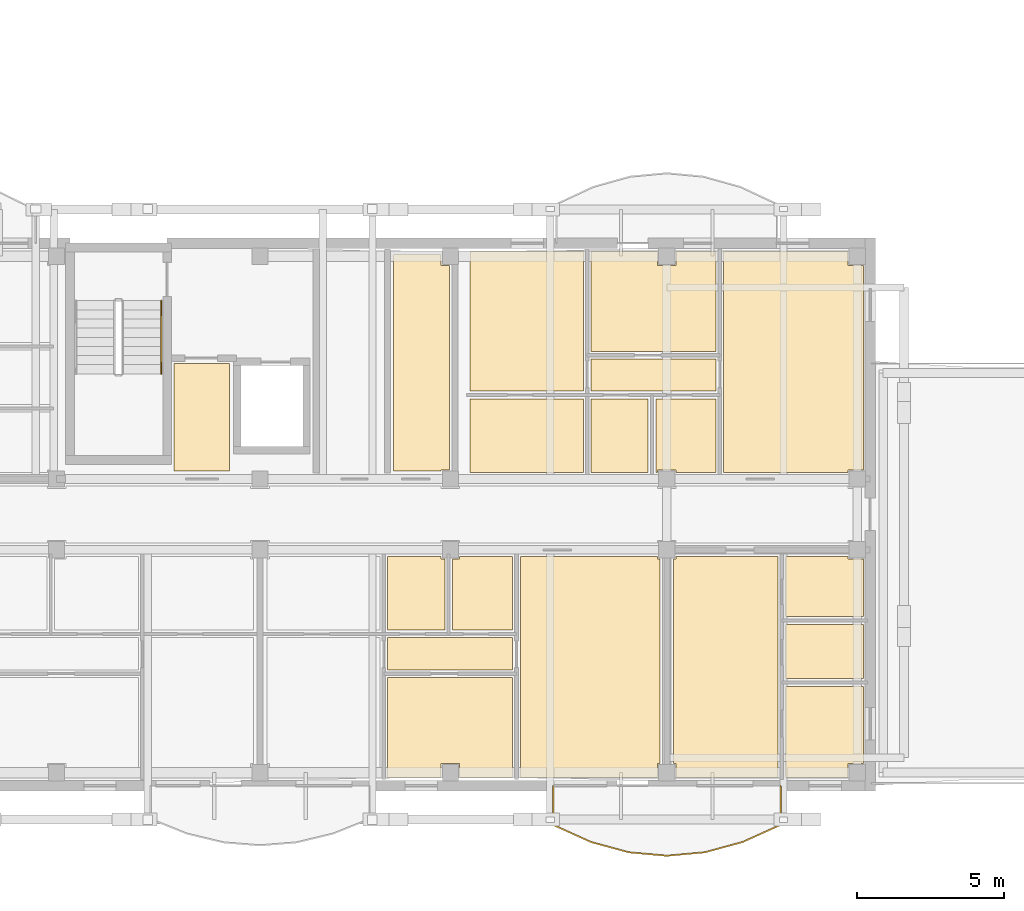
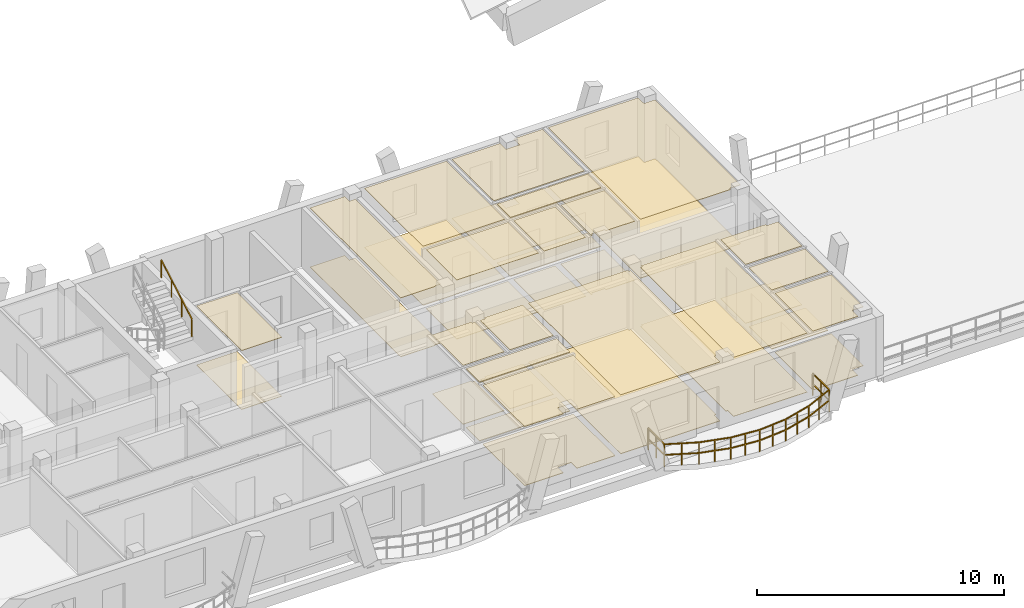
# One storey, part 90 of 109: 36 coverings, 2 railings.
"""IFC4 building model written with IfcOpenShell, lengths in metres."""

from ifc_helpers import new_model, si_unit, direction, frame, origin, origin_2d, place, context, subcontext, project, spatial, polyline, rectangle, outline, extrude, material, layer, layer_set, type_object, element, save


model = new_model("IFC4")

# Units and contexts
model_context = context("Model", 3, precision=1e-05, world=origin(), true_north=direction((0.0, 1.0)))
body_context = subcontext(model_context, "Body", "Model", "MODEL_VIEW")
ifc_project = project(units=[si_unit("LENGTHUNIT", "METRE"), si_unit("AREAUNIT", "SQUARE_METRE"), si_unit("VOLUMEUNIT", "CUBIC_METRE"), si_unit("PLANEANGLEUNIT", "RADIAN"), si_unit("MASSUNIT", "GRAM", prefix="KILO")], contexts=[model_context])

# Site, building, storey
site_placement = place(None, origin())
site = spatial("IfcSite", under=ifc_project, at=site_placement, CompositionType="ELEMENT")
building_placement = place(site_placement, origin())
building = spatial("IfcBuilding", under=site, at=building_placement, Name="Zavelmont Quarter", CompositionType="ELEMENT")
storey_placement = place(building_placement, frame((0.0, 0.0, 8.0)))
storey = spatial("IfcBuildingStorey", under=building, at=storey_placement, Name="L02", CompositionType="ELEMENT", Elevation=8.0)

# Coverings
ifc_material_1 = material(Name="Perforated acoustic gypsum board")
ifc_layer_1 = layer(ifc_material_1, 0.02490234375)
ifc_layer_set_1 = layer_set([ifc_layer_1], Name="Perforated acoustic gypsum board")
covering_type_1 = type_object("IfcCoveringType", Name="CV-CL01", PredefinedType="CEILING", material=ifc_layer_set_1)
covering_1_placement = place(storey_placement, frame((0.0, 0.0, 2.9150390625)))
element("IfcCovering", 1, at=covering_1_placement, inside=storey, type_object=covering_type_1, Name="L02 Lobby Vestibule acoustic ceiling", PredefinedType="CEILING", context=body_context, shape_type="SweptSolid", body=[
    extrude(outline(polyline([(31.580078125, 14.320068359375), (33.469970703125, 14.320068359375), (33.469970703125, 10.679931640625), (31.580078125, 10.679931640625), (31.580078125, 14.320068359375)])), origin(), (0.0, 0.0, 1.0), 0.02490234375),
])
covering_2_placement = place(storey_placement, frame((0.0, 0.0, 2.9150390625)))
element("IfcCovering", 2, at=covering_2_placement, inside=storey, type_object=covering_type_1, Name="L02 Cleaners Store acoustic ceiling", PredefinedType="CEILING", context=body_context, shape_type="SweptSolid", body=[
    extrude(outline(polyline([(39.030029296875, 18.02001953125), (40.64501953125, 18.02001953125), (40.64501953125, 17.64501953125), (40.919921875, 17.64501953125), (40.919921875, 10.715087890625), (40.64501953125, 10.715087890625), (40.64501953125, 10.679931640625), (39.030029296875, 10.679931640625), (39.030029296875, 18.02001953125)])), origin(), (0.0, 0.0, 1.0), 0.02490234375),
])
covering_3_placement = place(storey_placement, frame((0.0, 0.0, 2.9150390625)))
element("IfcCovering", 3, at=covering_3_placement, inside=storey, type_object=covering_type_1, Name="L02 Kitchen acoustic ceiling", PredefinedType="CEILING", context=body_context, shape_type="SweptSolid", body=[
    extrude(outline(polyline([(41.030029296875, 7.68505859375), (41.27490234375, 7.68505859375), (41.27490234375, 7.77001953125), (43.070068359375, 7.77001953125), (43.070068359375, 5.280029296875), (41.030029296875, 5.280029296875), (41.030029296875, 7.68505859375)])), origin(), (0.0, 0.0, 1.0), 0.02490234375),
])
covering_4_placement = place(storey_placement, frame((0.0, 0.0, 2.9150390625)))
element("IfcCovering", 4, at=covering_4_placement, inside=storey, type_object=covering_type_1, Name="L02 Master Bedroom acoustic ceiling", PredefinedType="CEILING", context=body_context, shape_type="SweptSolid", body=[
    extrude(outline(polyline([(38.830078125, 3.669921875), (43.070068359375, 3.669921875), (43.070068359375, 0.280029296875), (41.27490234375, 0.280029296875), (41.27490234375, 0.7548828125), (40.64501953125, 0.7548828125), (40.64501953125, 0.280029296875), (38.830078125, 0.280029296875), (38.830078125, 3.669921875)])), origin(), (0.0, 0.0, 1.0), 0.02490234375),
])
covering_5_placement = place(storey_placement, frame((0.0, 0.0, 2.9150390625)))
element("IfcCovering", 5, at=covering_5_placement, inside=storey, type_object=covering_type_1, Name="L02 Living Dining acoustic ceiling", PredefinedType="CEILING", context=body_context, shape_type="SweptSolid", body=[
    extrude(outline(polyline([(43.330078125, 7.77001953125), (47.985107421875, 7.77001953125), (47.985107421875, 7.68505859375), (48.070068359375, 7.68505859375), (48.070068359375, 0.7548828125), (47.985107421875, 0.7548828125), (47.985107421875, 0.280029296875), (43.330078125, 0.280029296875), (43.330078125, 7.77001953125)])), origin(), (0.0, 0.0, 1.0), 0.02490234375),
])
covering_6_placement = place(storey_placement, frame((0.0, 0.0, 2.9150390625)))
element("IfcCovering", 6, at=covering_6_placement, inside=storey, type_object=covering_type_1, Name="L02 Living Dining acoustic ceiling", PredefinedType="CEILING", context=body_context, shape_type="SweptSolid", body=[
    extrude(outline(polyline([(48.530029296875, 7.68505859375), (48.614990234375, 7.68505859375), (48.614990234375, 7.77001953125), (52.070068359375, 7.77001953125), (52.070068359375, 0.280029296875), (48.614990234375, 0.280029296875), (48.614990234375, 0.7548828125), (48.530029296875, 0.7548828125), (48.530029296875, 7.68505859375)])), origin(), (0.0, 0.0, 1.0), 0.02490234375),
])
covering_7_placement = place(storey_placement, frame((0.0, 0.0, 2.9150390625)))
element("IfcCovering", 7, at=covering_7_placement, inside=storey, type_object=covering_type_1, Name="L02 Kitchen acoustic ceiling", PredefinedType="CEILING", context=body_context, shape_type="SweptSolid", body=[
    extrude(outline(polyline([(52.330078125, 7.77001953125), (54.445068359375, 7.77001953125), (54.445068359375, 7.68505859375), (54.969970703125, 7.68505859375), (54.969970703125, 5.72998046875), (52.330078125, 5.72998046875), (52.330078125, 7.77001953125)])), origin(), (0.0, 0.0, 1.0), 0.02490234375),
])
covering_8_placement = place(storey_placement, frame((0.0, 0.0, 2.9150390625)))
element("IfcCovering", 8, at=covering_8_placement, inside=storey, type_object=covering_type_1, Name="L02 Single Bedroom acoustic ceiling", PredefinedType="CEILING", context=body_context, shape_type="SweptSolid", body=[
    extrude(outline(polyline([(52.330078125, 3.3701171875), (54.969970703125, 3.3701171875), (54.969970703125, 0.7548828125), (54.445068359375, 0.7548828125), (54.445068359375, 0.280029296875), (52.330078125, 0.280029296875), (52.330078125, 3.3701171875)])), origin(), (0.0, 0.0, 1.0), 0.02490234375),
])
covering_9_placement = place(storey_placement, frame((0.0, 0.0, 2.9150390625)))
element("IfcCovering", 9, at=covering_9_placement, inside=storey, type_object=covering_type_1, Name="L02 Double Bedroom acoustic ceiling", PredefinedType="CEILING", context=body_context, shape_type="SweptSolid", body=[
    extrude(outline(polyline([(41.6298828125, 18.1201171875), (45.469970703125, 18.1201171875), (45.469970703125, 13.3798828125), (41.6298828125, 13.3798828125), (41.6298828125, 18.1201171875)])), origin(), (0.0, 0.0, 1.0), 0.02490234375),
])
covering_10_placement = place(storey_placement, frame((0.0, 0.0, 2.9150390625)))
element("IfcCovering", 10, at=covering_10_placement, inside=storey, type_object=covering_type_1, Name="L02 Kitchen acoustic ceiling", PredefinedType="CEILING", context=body_context, shape_type="SweptSolid", body=[
    extrude(outline(polyline([(47.929931640625, 13.1201171875), (49.969970703125, 13.1201171875), (49.969970703125, 10.6298828125), (48.614990234375, 10.6298828125), (48.614990234375, 10.715087890625), (47.985107421875, 10.715087890625), (47.985107421875, 10.6298828125), (47.929931640625, 10.6298828125), (47.929931640625, 13.1201171875)])), origin(), (0.0, 0.0, 1.0), 0.02490234375),
])
covering_11_placement = place(storey_placement, frame((0.0, 0.0, 2.9150390625)))
element("IfcCovering", 11, at=covering_11_placement, inside=storey, type_object=covering_type_1, Name="L02 Master Bedroom acoustic ceiling", PredefinedType="CEILING", context=body_context, shape_type="SweptSolid", body=[
    extrude(outline(polyline([(45.72998046875, 18.1201171875), (47.985107421875, 18.1201171875), (47.985107421875, 17.64501953125), (48.614990234375, 17.64501953125), (48.614990234375, 18.1201171875), (49.969970703125, 18.1201171875), (49.969970703125, 14.72998046875), (45.72998046875, 14.72998046875), (45.72998046875, 18.1201171875)])), origin(), (0.0, 0.0, 1.0), 0.02490234375),
])
covering_12_placement = place(storey_placement, frame((0.0, 0.0, 2.9150390625)))
element("IfcCovering", 12, at=covering_12_placement, inside=storey, type_object=covering_type_1, Name="L02 Living Dining acoustic ceiling", PredefinedType="CEILING", context=body_context, shape_type="SweptSolid", body=[
    extrude(outline(polyline([(50.22998046875, 18.1201171875), (54.445068359375, 18.1201171875), (54.445068359375, 17.64501953125), (54.969970703125, 17.64501953125), (54.969970703125, 10.715087890625), (54.445068359375, 10.715087890625), (54.445068359375, 10.6298828125), (50.22998046875, 10.6298828125), (50.22998046875, 18.1201171875)])), origin(), (0.0, 0.0, 1.0), 0.02490234375),
])
ifc_material_2 = material(Name="Slatted European ash acoustic baffle ceiling")
ifc_layer_2 = layer(ifc_material_2, 0.0400390625)
ifc_layer_set_2 = layer_set([ifc_layer_2], Name="Slatted European ash acoustic baffle ceiling")
covering_type_2 = type_object("IfcCoveringType", Name="CV-CL02", PredefinedType="CEILING", material=ifc_layer_set_2)
covering_13_placement = place(storey_placement, frame((0.0, 0.0, 2.89990234375)))
element("IfcCovering", 13, at=covering_13_placement, inside=storey, type_object=covering_type_2, Name="L02 Apartment Hall acoustic ceiling", PredefinedType="CEILING", context=body_context, shape_type="SweptSolid", body=[
    extrude(outline(polyline([(38.830078125, 5.02001953125), (43.070068359375, 5.02001953125), (43.070068359375, 3.929931640625), (38.830078125, 3.929931640625), (38.830078125, 5.02001953125)])), origin(), (0.0, 0.0, 1.0), 0.0400390625),
])
covering_14_placement = place(storey_placement, frame((0.0, 0.0, 2.89990234375)))
element("IfcCovering", 14, at=covering_14_placement, inside=storey, type_object=covering_type_2, Name="L02 Apartment Hall acoustic ceiling", PredefinedType="CEILING", context=body_context, shape_type="SweptSolid", body=[
    extrude(outline(polyline([(45.72998046875, 14.469970703125), (49.969970703125, 14.469970703125), (49.969970703125, 13.3798828125), (45.72998046875, 13.3798828125), (45.72998046875, 14.469970703125)])), origin(), (0.0, 0.0, 1.0), 0.0400390625),
])
ifc_material_3 = material(Name="Moisture-resistant painted gypsum ceiling")
ifc_layer_3 = layer(ifc_material_3, 0.02001953125)
ifc_layer_set_3 = layer_set([ifc_layer_3], Name="Moisture-resistant painted gypsum ceiling")
covering_type_3 = type_object("IfcCoveringType", Name="CV-CL04", PredefinedType="CEILING", material=ifc_layer_set_3)
covering_15_placement = place(storey_placement, frame((0.0, 0.0, 2.919921875)))
element("IfcCovering", 15, at=covering_15_placement, inside=storey, type_object=covering_type_3, Name="L02 Bathroom acoustic ceiling", PredefinedType="CEILING", context=body_context, shape_type="SweptSolid", body=[
    extrude(outline(polyline([(38.830078125, 7.77001953125), (40.64501953125, 7.77001953125), (40.64501953125, 7.68505859375), (40.77001953125, 7.68505859375), (40.77001953125, 5.280029296875), (38.830078125, 5.280029296875), (38.830078125, 7.77001953125)])), origin(), (0.0, 0.0, 1.0), 0.02001953125),
])
covering_16_placement = place(storey_placement, frame((0.0, 0.0, 2.919921875)))
element("IfcCovering", 16, at=covering_16_placement, inside=storey, type_object=covering_type_3, Name="L02 Bathroom acoustic ceiling", PredefinedType="CEILING", context=body_context, shape_type="SweptSolid", body=[
    extrude(outline(polyline([(52.330078125, 5.469970703125), (54.969970703125, 5.469970703125), (54.969970703125, 3.6298828125), (52.330078125, 3.6298828125), (52.330078125, 5.469970703125)])), origin(), (0.0, 0.0, 1.0), 0.02001953125),
])
covering_17_placement = place(storey_placement, frame((0.0, 0.0, 2.919921875)))
element("IfcCovering", 17, at=covering_17_placement, inside=storey, type_object=covering_type_3, Name="L02 Bathroom acoustic ceiling", PredefinedType="CEILING", context=body_context, shape_type="SweptSolid", body=[
    extrude(outline(polyline([(41.6298828125, 13.1201171875), (45.469970703125, 13.1201171875), (45.469970703125, 10.6298828125), (41.6298828125, 10.6298828125), (41.6298828125, 13.1201171875)])), origin(), (0.0, 0.0, 1.0), 0.02001953125),
])
covering_18_placement = place(storey_placement, frame((0.0, 0.0, 2.919921875)))
element("IfcCovering", 18, at=covering_18_placement, inside=storey, type_object=covering_type_3, Name="L02 Bathroom acoustic ceiling", PredefinedType="CEILING", context=body_context, shape_type="SweptSolid", body=[
    extrude(outline(polyline([(45.72998046875, 13.1201171875), (47.669921875, 13.1201171875), (47.669921875, 10.6298828125), (45.72998046875, 10.6298828125), (45.72998046875, 13.1201171875)])), origin(), (0.0, 0.0, 1.0), 0.02001953125),
])
ifc_material_4 = material(Name="Engineered European oak parquet")
ifc_layer_4 = layer(ifc_material_4, 0.02197265625)
ifc_layer_set_4 = layer_set([ifc_layer_4], Name="Engineered European oak parquet")
covering_type_4 = type_object("IfcCoveringType", Name="CV-FL01", PredefinedType="FLOORING", material=ifc_layer_set_4)
covering_19_placement = place(storey_placement, origin())
element("IfcCovering", 19, at=covering_19_placement, inside=storey, type_object=covering_type_4, Name="L02 Lobby Vestibule floor finish", PredefinedType="FLOORING", context=body_context, shape_type="SweptSolid", body=[
    extrude(outline(polyline([(31.580078125, 14.320068359375), (33.469970703125, 14.320068359375), (33.469970703125, 10.679931640625), (31.580078125, 10.679931640625), (31.580078125, 14.320068359375)])), origin(), (0.0, 0.0, 1.0), 0.02197265625),
])
covering_20_placement = place(storey_placement, origin())
element("IfcCovering", 20, at=covering_20_placement, inside=storey, type_object=covering_type_4, Name="L02 Cleaners Store floor finish", PredefinedType="FLOORING", context=body_context, shape_type="SweptSolid", body=[
    extrude(outline(polyline([(39.030029296875, 18.02001953125), (40.64501953125, 18.02001953125), (40.64501953125, 17.64501953125), (40.919921875, 17.64501953125), (40.919921875, 10.715087890625), (40.64501953125, 10.715087890625), (40.64501953125, 10.679931640625), (39.030029296875, 10.679931640625), (39.030029296875, 18.02001953125)])), origin(), (0.0, 0.0, 1.0), 0.02197265625),
])
covering_21_placement = place(storey_placement, origin())
element("IfcCovering", 21, at=covering_21_placement, inside=storey, type_object=covering_type_4, Name="L02 Kitchen floor finish", PredefinedType="FLOORING", context=body_context, shape_type="SweptSolid", body=[
    extrude(outline(polyline([(41.030029296875, 7.68505859375), (41.27490234375, 7.68505859375), (41.27490234375, 7.77001953125), (43.070068359375, 7.77001953125), (43.070068359375, 5.280029296875), (41.030029296875, 5.280029296875), (41.030029296875, 7.68505859375)])), origin(), (0.0, 0.0, 1.0), 0.02197265625),
])
covering_22_placement = place(storey_placement, origin())
element("IfcCovering", 22, at=covering_22_placement, inside=storey, type_object=covering_type_4, Name="L02 Master Bedroom floor finish", PredefinedType="FLOORING", context=body_context, shape_type="SweptSolid", body=[
    extrude(outline(polyline([(38.830078125, 3.669921875), (43.070068359375, 3.669921875), (43.070068359375, 0.280029296875), (41.27490234375, 0.280029296875), (41.27490234375, 0.7548828125), (40.64501953125, 0.7548828125), (40.64501953125, 0.280029296875), (38.830078125, 0.280029296875), (38.830078125, 3.669921875)])), origin(), (0.0, 0.0, 1.0), 0.02197265625),
])
covering_23_placement = place(storey_placement, origin())
element("IfcCovering", 23, at=covering_23_placement, inside=storey, type_object=covering_type_4, Name="L02 Living Dining floor finish", PredefinedType="FLOORING", context=body_context, shape_type="SweptSolid", body=[
    extrude(outline(polyline([(43.330078125, 7.77001953125), (47.985107421875, 7.77001953125), (47.985107421875, 7.68505859375), (48.070068359375, 7.68505859375), (48.070068359375, 0.7548828125), (47.985107421875, 0.7548828125), (47.985107421875, 0.280029296875), (43.330078125, 0.280029296875), (43.330078125, 7.77001953125)])), origin(), (0.0, 0.0, 1.0), 0.02197265625),
])
covering_24_placement = place(storey_placement, origin())
element("IfcCovering", 24, at=covering_24_placement, inside=storey, type_object=covering_type_4, Name="L02 Living Dining floor finish", PredefinedType="FLOORING", context=body_context, shape_type="SweptSolid", body=[
    extrude(outline(polyline([(48.530029296875, 7.68505859375), (48.614990234375, 7.68505859375), (48.614990234375, 7.77001953125), (52.070068359375, 7.77001953125), (52.070068359375, 0.280029296875), (48.614990234375, 0.280029296875), (48.614990234375, 0.7548828125), (48.530029296875, 0.7548828125), (48.530029296875, 7.68505859375)])), origin(), (0.0, 0.0, 1.0), 0.02197265625),
])
covering_25_placement = place(storey_placement, origin())
element("IfcCovering", 25, at=covering_25_placement, inside=storey, type_object=covering_type_4, Name="L02 Kitchen floor finish", PredefinedType="FLOORING", context=body_context, shape_type="SweptSolid", body=[
    extrude(outline(polyline([(52.330078125, 7.77001953125), (54.445068359375, 7.77001953125), (54.445068359375, 7.68505859375), (54.969970703125, 7.68505859375), (54.969970703125, 5.72998046875), (52.330078125, 5.72998046875), (52.330078125, 7.77001953125)])), origin(), (0.0, 0.0, 1.0), 0.02197265625),
])
covering_26_placement = place(storey_placement, origin())
element("IfcCovering", 26, at=covering_26_placement, inside=storey, type_object=covering_type_4, Name="L02 Single Bedroom floor finish", PredefinedType="FLOORING", context=body_context, shape_type="SweptSolid", body=[
    extrude(outline(polyline([(52.330078125, 3.3701171875), (54.969970703125, 3.3701171875), (54.969970703125, 0.7548828125), (54.445068359375, 0.7548828125), (54.445068359375, 0.280029296875), (52.330078125, 0.280029296875), (52.330078125, 3.3701171875)])), origin(), (0.0, 0.0, 1.0), 0.02197265625),
])
covering_27_placement = place(storey_placement, origin())
element("IfcCovering", 27, at=covering_27_placement, inside=storey, type_object=covering_type_4, Name="L02 Double Bedroom floor finish", PredefinedType="FLOORING", context=body_context, shape_type="SweptSolid", body=[
    extrude(outline(polyline([(41.6298828125, 18.1201171875), (45.469970703125, 18.1201171875), (45.469970703125, 13.3798828125), (41.6298828125, 13.3798828125), (41.6298828125, 18.1201171875)])), origin(), (0.0, 0.0, 1.0), 0.02197265625),
])
covering_28_placement = place(storey_placement, origin())
element("IfcCovering", 28, at=covering_28_placement, inside=storey, type_object=covering_type_4, Name="L02 Kitchen floor finish", PredefinedType="FLOORING", context=body_context, shape_type="SweptSolid", body=[
    extrude(outline(polyline([(47.929931640625, 13.1201171875), (49.969970703125, 13.1201171875), (49.969970703125, 10.6298828125), (48.614990234375, 10.6298828125), (48.614990234375, 10.715087890625), (47.985107421875, 10.715087890625), (47.985107421875, 10.6298828125), (47.929931640625, 10.6298828125), (47.929931640625, 13.1201171875)])), origin(), (0.0, 0.0, 1.0), 0.02197265625),
])
covering_29_placement = place(storey_placement, origin())
element("IfcCovering", 29, at=covering_29_placement, inside=storey, type_object=covering_type_4, Name="L02 Master Bedroom floor finish", PredefinedType="FLOORING", context=body_context, shape_type="SweptSolid", body=[
    extrude(outline(polyline([(45.72998046875, 18.1201171875), (47.985107421875, 18.1201171875), (47.985107421875, 17.64501953125), (48.614990234375, 17.64501953125), (48.614990234375, 18.1201171875), (49.969970703125, 18.1201171875), (49.969970703125, 14.72998046875), (45.72998046875, 14.72998046875), (45.72998046875, 18.1201171875)])), origin(), (0.0, 0.0, 1.0), 0.02197265625),
])
covering_30_placement = place(storey_placement, origin())
element("IfcCovering", 30, at=covering_30_placement, inside=storey, type_object=covering_type_4, Name="L02 Living Dining floor finish", PredefinedType="FLOORING", context=body_context, shape_type="SweptSolid", body=[
    extrude(outline(polyline([(50.22998046875, 18.1201171875), (54.445068359375, 18.1201171875), (54.445068359375, 17.64501953125), (54.969970703125, 17.64501953125), (54.969970703125, 10.715087890625), (54.445068359375, 10.715087890625), (54.445068359375, 10.6298828125), (50.22998046875, 10.6298828125), (50.22998046875, 18.1201171875)])), origin(), (0.0, 0.0, 1.0), 0.02197265625),
])
ifc_material_5 = material(Name="Honed Belgian bluestone tile", Category="masonry")
ifc_layer_5 = layer(ifc_material_5, 0.030029296875)
ifc_layer_set_5 = layer_set([ifc_layer_5], Name="Honed Belgian bluestone tile")
covering_type_5 = type_object("IfcCoveringType", Name="CV-FL02", PredefinedType="FLOORING", material=ifc_layer_set_5)
covering_31_placement = place(storey_placement, origin())
element("IfcCovering", 31, at=covering_31_placement, inside=storey, type_object=covering_type_5, Name="L02 Apartment Hall floor finish", PredefinedType="FLOORING", context=body_context, shape_type="SweptSolid", body=[
    extrude(outline(polyline([(38.830078125, 5.02001953125), (43.070068359375, 5.02001953125), (43.070068359375, 3.929931640625), (38.830078125, 3.929931640625), (38.830078125, 5.02001953125)])), origin(), (0.0, 0.0, 1.0), 0.030029296875),
])
covering_32_placement = place(storey_placement, origin())
element("IfcCovering", 32, at=covering_32_placement, inside=storey, type_object=covering_type_5, Name="L02 Apartment Hall floor finish", PredefinedType="FLOORING", context=body_context, shape_type="SweptSolid", body=[
    extrude(outline(polyline([(45.72998046875, 14.469970703125), (49.969970703125, 14.469970703125), (49.969970703125, 13.3798828125), (45.72998046875, 13.3798828125), (45.72998046875, 14.469970703125)])), origin(), (0.0, 0.0, 1.0), 0.030029296875),
])
ifc_material_6 = material(Name="Slip-resistant porcelain tile")
ifc_layer_6 = layer(ifc_material_6, 0.02587890625)
ifc_layer_set_6 = layer_set([ifc_layer_6], Name="Slip-resistant porcelain tile")
covering_type_6 = type_object("IfcCoveringType", Name="CV-FL04", PredefinedType="FLOORING", material=ifc_layer_set_6)
covering_33_placement = place(storey_placement, origin())
element("IfcCovering", 33, at=covering_33_placement, inside=storey, type_object=covering_type_6, Name="L02 Bathroom floor finish", PredefinedType="FLOORING", context=body_context, shape_type="SweptSolid", body=[
    extrude(outline(polyline([(38.830078125, 7.77001953125), (40.64501953125, 7.77001953125), (40.64501953125, 7.68505859375), (40.77001953125, 7.68505859375), (40.77001953125, 5.280029296875), (38.830078125, 5.280029296875), (38.830078125, 7.77001953125)])), origin(), (0.0, 0.0, 1.0), 0.02587890625),
])
covering_34_placement = place(storey_placement, origin())
element("IfcCovering", 34, at=covering_34_placement, inside=storey, type_object=covering_type_6, Name="L02 Bathroom floor finish", PredefinedType="FLOORING", context=body_context, shape_type="SweptSolid", body=[
    extrude(outline(polyline([(52.330078125, 5.469970703125), (54.969970703125, 5.469970703125), (54.969970703125, 3.6298828125), (52.330078125, 3.6298828125), (52.330078125, 5.469970703125)])), origin(), (0.0, 0.0, 1.0), 0.02587890625),
])
covering_35_placement = place(storey_placement, origin())
element("IfcCovering", 35, at=covering_35_placement, inside=storey, type_object=covering_type_6, Name="L02 Bathroom floor finish", PredefinedType="FLOORING", context=body_context, shape_type="SweptSolid", body=[
    extrude(outline(polyline([(41.6298828125, 13.1201171875), (45.469970703125, 13.1201171875), (45.469970703125, 10.6298828125), (41.6298828125, 10.6298828125), (41.6298828125, 13.1201171875)])), origin(), (0.0, 0.0, 1.0), 0.02587890625),
])
covering_36_placement = place(storey_placement, origin())
element("IfcCovering", 36, at=covering_36_placement, inside=storey, type_object=covering_type_6, Name="L02 Bathroom floor finish", PredefinedType="FLOORING", context=body_context, shape_type="SweptSolid", body=[
    extrude(outline(polyline([(45.72998046875, 13.1201171875), (47.669921875, 13.1201171875), (47.669921875, 10.6298828125), (45.72998046875, 10.6298828125), (45.72998046875, 13.1201171875)])), origin(), (0.0, 0.0, 1.0), 0.02587890625),
])

# Railings
ifc_material_7 = material(Name="Powder-coated steel and tempered double safety glass", Category="steel")
railing_type_1 = type_object("IfcRailingType", Name="RL-BAL1", PredefinedType="BALUSTRADE", material=ifc_material_7)
railing_1_placement = place(storey_placement, frame((44.44140625, -0.02001953125, 0.0)))
element("IfcRailing", 37, at=railing_1_placement, inside=storey, type_object=railing_type_1, Name="L02 Block A curved balcony guard RL-BAL1", PredefinedType="BALUSTRADE", context=body_context, shape_type="SweptSolid", body=[
    extrude(rectangle(XDim=0.048095703125, YDim=0.048095703125, at=origin_2d()), frame((0.0, 0.0, 1.076171875), z_axis=(0.0, -1.0, 0.0), x_axis=(1.0, 0.0, 0.0)), (0.0, 0.0, 1.0), 1.312744140625),
    extrude(rectangle(XDim=0.048095703125, YDim=0.048095703125, at=origin_2d()), frame((0.0, 0.0, 0.550048828125), z_axis=(0.0, -1.0, 0.0), x_axis=(1.0, 0.0, 0.0)), (0.0, 0.0, 1.0), 1.312744140625),
    extrude(rectangle(XDim=0.048095703125, YDim=0.048095703125, at=origin_2d()), frame((0.0, -1.312744140625, 1.076171875), z_axis=(0.911146572857, -0.412082422304, 0.0), x_axis=(0.412082422304, 0.911146572857, 0.0)), (0.0, 0.0, 1.0), 1.411865234375),
    extrude(rectangle(XDim=0.048095703125, YDim=0.048095703125, at=origin_2d()), frame((0.0, -1.312744140625, 0.550048828125), z_axis=(0.911146572857, -0.412082422304, 0.0), x_axis=(0.412082422304, 0.911146572857, 0.0)), (0.0, 0.0, 1.0), 1.411865234375),
    extrude(rectangle(XDim=0.048095703125, YDim=0.048095703125, at=origin_2d()), frame((1.286376953125, -1.89453125, 1.076171875), z_axis=(0.965075981526, -0.261970131659, 0.0), x_axis=(0.261970131659, 0.965075981526, 0.0)), (0.0, 0.0, 1.0), 1.332763671875),
    extrude(rectangle(XDim=0.048095703125, YDim=0.048095703125, at=origin_2d()), frame((1.286376953125, -1.89453125, 0.550048828125), z_axis=(0.965075981526, -0.261970131659, 0.0), x_axis=(0.261970131659, 0.965075981526, 0.0)), (0.0, 0.0, 1.0), 1.332763671875),
    extrude(rectangle(XDim=0.048095703125, YDim=0.048095703125, at=origin_2d()), frame((2.572509765625, -2.24365234375, 1.076171875), z_axis=(0.995942645327, -0.089990261803, 0.0), x_axis=(0.089990261803, 0.995942645327, 0.0)), (0.0, 0.0, 1.0), 1.291259765625),
    extrude(rectangle(XDim=0.048095703125, YDim=0.048095703125, at=origin_2d()), frame((2.572509765625, -2.24365234375, 0.550048828125), z_axis=(0.995942645327, -0.089990261803, 0.0), x_axis=(0.089990261803, 0.995942645327, 0.0)), (0.0, 0.0, 1.0), 1.291259765625),
    extrude(rectangle(XDim=0.048095703125, YDim=0.048095703125, at=origin_2d()), frame((3.858642578125, -2.35986328125, 1.076171875), z_axis=(0.995942645327, 0.089990261803, 0.0), x_axis=(-0.089990261803, 0.995942645327, 0.0)), (0.0, 0.0, 1.0), 1.291259765625),
    extrude(rectangle(XDim=0.048095703125, YDim=0.048095703125, at=origin_2d()), frame((3.858642578125, -2.35986328125, 0.550048828125), z_axis=(0.995942645327, 0.089990261803, 0.0), x_axis=(-0.089990261803, 0.995942645327, 0.0)), (0.0, 0.0, 1.0), 1.291259765625),
    extrude(rectangle(XDim=0.048095703125, YDim=0.048095703125, at=origin_2d()), frame((5.144775390625, -2.24365234375, 1.076171875), z_axis=(0.965075981526, 0.261970131659, 0.0), x_axis=(-0.261970131659, 0.965075981526, 0.0)), (0.0, 0.0, 1.0), 1.332763671875),
    extrude(rectangle(XDim=0.048095703125, YDim=0.048095703125, at=origin_2d()), frame((5.144775390625, -2.24365234375, 0.550048828125), z_axis=(0.965075981526, 0.261970131659, 0.0), x_axis=(-0.261970131659, 0.965075981526, 0.0)), (0.0, 0.0, 1.0), 1.332763671875),
    extrude(rectangle(XDim=0.048095703125, YDim=0.048095703125, at=origin_2d()), frame((6.430908203125, -1.89453125, 1.076171875), z_axis=(0.911117201035, 0.412147359542, 0.0), x_axis=(-0.412147359542, 0.911117201035, 0.0)), (0.0, 0.0, 1.0), 1.41162109375),
    extrude(rectangle(XDim=0.048095703125, YDim=0.048095703125, at=origin_2d()), frame((6.430908203125, -1.89453125, 0.550048828125), z_axis=(0.911117201035, 0.412147359542, 0.0), x_axis=(-0.412147359542, 0.911117201035, 0.0)), (0.0, 0.0, 1.0), 1.41162109375),
    extrude(rectangle(XDim=0.048095703125, YDim=0.048095703125, at=origin_2d()), frame((7.717041015625, -1.312744140625, 1.076171875), z_axis=(0.0, 1.0, 0.0), x_axis=(-1.0, 0.0, 0.0)), (0.0, 0.0, 1.0), 1.312744140625),
    extrude(rectangle(XDim=0.048095703125, YDim=0.048095703125, at=origin_2d()), frame((7.717041015625, -1.312744140625, 0.550048828125), z_axis=(0.0, 1.0, 0.0), x_axis=(-1.0, 0.0, 0.0)), (0.0, 0.0, 1.0), 1.312744140625),
    extrude(rectangle(XDim=0.0419921875, YDim=0.0419921875, at=origin_2d()), origin(), (0.0, 0.0, 1.0), 1.052001953125),
    extrude(rectangle(XDim=0.0419921875, YDim=0.0419921875, at=origin_2d()), frame((0.0, -0.65625, 0.0)), (0.0, 0.0, 1.0), 1.052001953125),
    extrude(rectangle(XDim=0.0419921875, YDim=0.0419921875, at=origin_2d()), frame((0.0, -1.312744140625, 0.0)), (0.0, 0.0, 1.0), 1.052001953125),
    extrude(rectangle(XDim=0.0419921875, YDim=0.0419921875, at=origin_2d()), frame((0.64306640625, -1.603515625, 0.0)), (0.0, 0.0, 1.0), 1.052001953125),
    extrude(rectangle(XDim=0.0419921875, YDim=0.0419921875, at=origin_2d()), frame((1.286376953125, -1.89453125, 0.0)), (0.0, 0.0, 1.0), 1.052001953125),
    extrude(rectangle(XDim=0.0419921875, YDim=0.0419921875, at=origin_2d()), frame((1.929443359375, -2.069091796875, 0.0)), (0.0, 0.0, 1.0), 1.052001953125),
    extrude(rectangle(XDim=0.0419921875, YDim=0.0419921875, at=origin_2d()), frame((2.572509765625, -2.24365234375, 0.0)), (0.0, 0.0, 1.0), 1.052001953125),
    extrude(rectangle(XDim=0.0419921875, YDim=0.0419921875, at=origin_2d()), frame((3.215576171875, -2.3017578125, 0.0)), (0.0, 0.0, 1.0), 1.052001953125),
    extrude(rectangle(XDim=0.0419921875, YDim=0.0419921875, at=origin_2d()), frame((3.858642578125, -2.35986328125, 0.0)), (0.0, 0.0, 1.0), 1.052001953125),
    extrude(rectangle(XDim=0.0419921875, YDim=0.0419921875, at=origin_2d()), frame((4.501708984375, -2.3017578125, 0.0)), (0.0, 0.0, 1.0), 1.052001953125),
    extrude(rectangle(XDim=0.0419921875, YDim=0.0419921875, at=origin_2d()), frame((5.144775390625, -2.24365234375, 0.0)), (0.0, 0.0, 1.0), 1.052001953125),
    extrude(rectangle(XDim=0.0419921875, YDim=0.0419921875, at=origin_2d()), frame((5.787841796875, -2.069091796875, 0.0)), (0.0, 0.0, 1.0), 1.052001953125),
    extrude(rectangle(XDim=0.0419921875, YDim=0.0419921875, at=origin_2d()), frame((6.430908203125, -1.89453125, 0.0)), (0.0, 0.0, 1.0), 1.052001953125),
    extrude(rectangle(XDim=0.0419921875, YDim=0.0419921875, at=origin_2d()), frame((7.073974609375, -1.603515625, 0.0)), (0.0, 0.0, 1.0), 1.052001953125),
    extrude(rectangle(XDim=0.0419921875, YDim=0.0419921875, at=origin_2d()), frame((7.717041015625, -1.312744140625, 0.0)), (0.0, 0.0, 1.0), 1.052001953125),
    extrude(rectangle(XDim=0.0419921875, YDim=0.0419921875, at=origin_2d()), frame((7.717041015625, -0.65625, 0.0)), (0.0, 0.0, 1.0), 1.052001953125),
    extrude(rectangle(XDim=0.0419921875, YDim=0.0419921875, at=origin_2d()), frame((7.717041015625, 0.0, 0.0)), (0.0, 0.0, 1.0), 1.052001953125),
])
ifc_material_8 = material(Name="Brushed stainless-steel wall handrail", Category="steel")
railing_type_2 = type_object("IfcRailingType", Name="RL-HND1", PredefinedType="HANDRAIL", material=ifc_material_8)
railing_2_placement = place(storey_placement, frame((31.14990234375, 13.969970703125, 1.77783203125)))
element("IfcRailing", 38, at=railing_2_placement, inside=storey, type_object=railing_type_2, Name="L02 ST02 stair handrail 2", PredefinedType="HANDRAIL", context=body_context, shape_type="SweptSolid", body=[
    extrude(rectangle(XDim=0.048095703125, YDim=0.048095703125, at=origin_2d()), frame((0.0, 0.0, 0.8759765625), z_axis=(0.0, 0.867490628297, 0.497453525283), x_axis=(-1.0, 0.0, 0.0)), (0.0, 0.0, 1.0), 2.85888671875),
    extrude(rectangle(XDim=0.0419921875, YDim=0.0419921875, at=origin_2d()), origin(), (0.0, 0.0, 1.0), 0.851806640625),
    extrude(rectangle(XDim=0.0419921875, YDim=0.0419921875, at=origin_2d()), frame((0.0, 0.82666015625, 0.47412109375)), (0.0, 0.0, 1.0), 0.851806640625),
    extrude(rectangle(XDim=0.0419921875, YDim=0.0419921875, at=origin_2d()), frame((0.0, 1.6533203125, 0.947998046875)), (0.0, 0.0, 1.0), 0.851806640625),
    extrude(rectangle(XDim=0.0419921875, YDim=0.0419921875, at=origin_2d()), frame((0.0, 2.47998046875, 1.422119140625)), (0.0, 0.0, 1.0), 0.851806640625),
])

save(model, "model.ifc")
